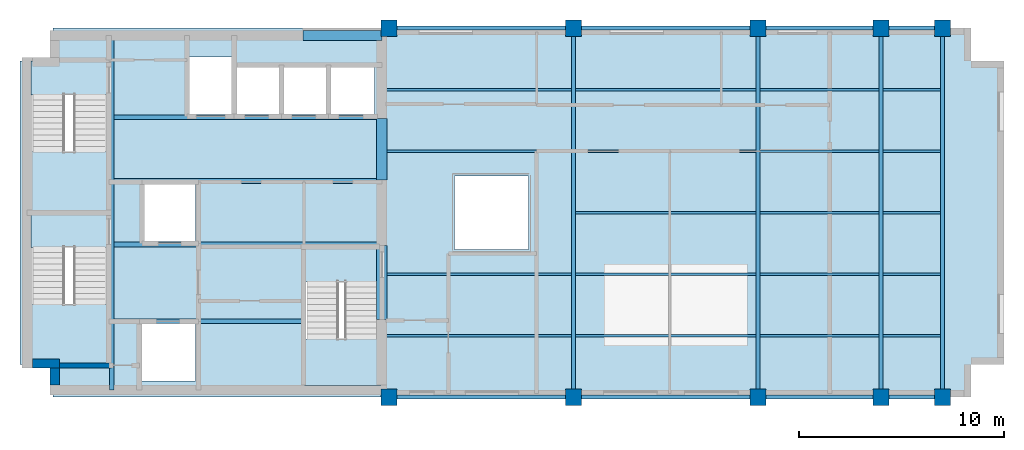
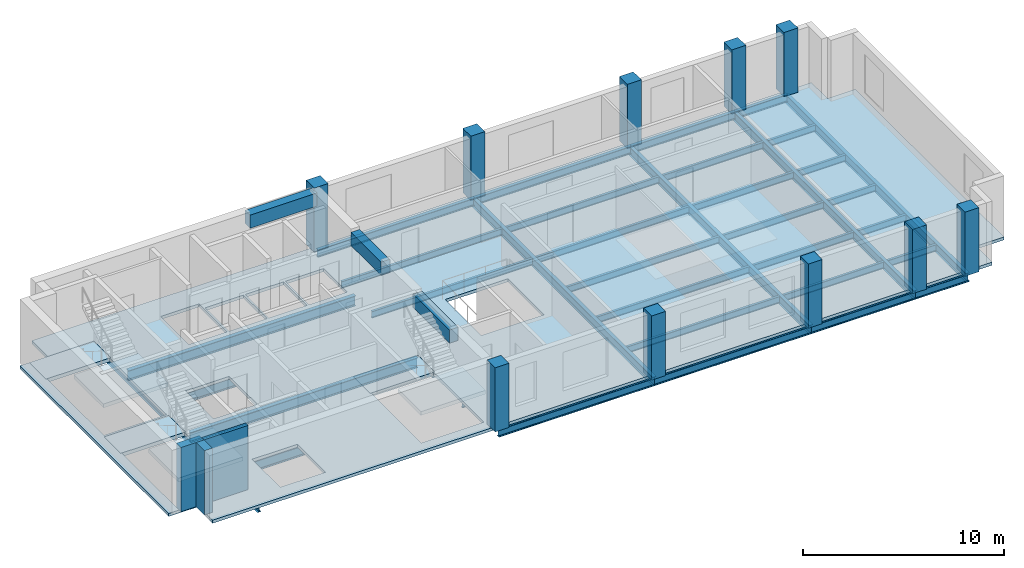
# One storey, part 1 of 5: 39 beams, 10 columns, 7 slabs, 3 walls, 3 elements without a shape of their own.
"""IFC4 building model written with IfcOpenShell, lengths in metres."""

from ifc_helpers import new_model, si_unit, direction, frame, frame_2d, origin, origin_2d, place, context, subcontext, project, spatial, polyline, rectangle, i_section, outline, extrude, material, layer, layer_set, material_profile, profile_set, type_object, element, aggregate, save


model = new_model("IFC4")

# Units and contexts
model_context = context("Model", 3, precision=1e-05, world=origin(), true_north=direction((0.0, 1.0)))
body_context = subcontext(model_context, "Body", "Model", "MODEL_VIEW")
ifc_project = project(units=[si_unit("LENGTHUNIT", "METRE"), si_unit("AREAUNIT", "SQUARE_METRE"), si_unit("VOLUMEUNIT", "CUBIC_METRE"), si_unit("PLANEANGLEUNIT", "RADIAN"), si_unit("MASSUNIT", "GRAM", prefix="KILO")], contexts=[model_context])

# Site, building, storey
site_placement = place(None, origin())
site = spatial("IfcSite", under=ifc_project, at=site_placement, CompositionType="ELEMENT")
building_placement = place(site_placement, origin())
building = spatial("IfcBuilding", under=site, at=building_placement, Name="Mawjdan Bourse Tower", CompositionType="ELEMENT")
storey_placement = place(building_placement, frame((0.0, 0.0, 278.10009765625)))
storey = spatial("IfcBuildingStorey", under=building, at=storey_placement, Name="L68", CompositionType="ELEMENT", Elevation=278.10009765625)

# Columns
ifc_material_1 = material(Name="Concrete C60/75", Category="concrete")
ifc_material_profile_1 = material_profile(ifc_material_1, rectangle(XDim=0.800048828125, YDim=0.800048828125, at=origin_2d()), Name="RC800X800")
ifc_profile_set_1 = profile_set([ifc_material_profile_1], Name="Concrete C60/75")
column_type = type_object("IfcColumnType", Name="COL-RC800X800", PredefinedType="COLUMN", material=ifc_profile_set_1)
for number, where, z_axis, x_axis, name in (
    (1, (24.0, 3.0, 0.0), (0.0, 0.0, 1.0), (1.0, 0.0, 0.0), "L68 Structural Column C-X240-Y30"),
    (2, (24.0, 21.0, 0.0), (0.0, 0.0, 1.0), (1.0, 0.0, 0.0), "L68 Structural Column C-X240-Y210"),
    (3, (33.0, 3.0, 0.0), (0.0, 0.0, 1.0), (1.0, 0.0, 0.0), "L68 Structural Column C-X330-Y30"),
    (4, (33.0, 21.0, 0.0), (0.0, 0.0, 1.0), (1.0, 0.0, 0.0), "L68 Structural Column C-X330-Y210"),
    (5, (42.0, 3.0, 0.0), (0.0, 0.0, 1.0), (1.0, 0.0, 0.0), "L68 Structural Column C-X420-Y30"),
    (6, (42.0, 21.0, 0.0), (0.0, 0.0, 1.0), (1.0, 0.0, 0.0), "L68 Structural Column C-X420-Y210"),
    (7, (48.0, 3.0, 0.0), (0.0, 0.0, 1.0), (1.0, 0.0, 0.0), "L68 Structural Column C-X480-Y30"),
    (8, (48.0, 21.0, 0.0), (0.0, 0.0, 1.0), (1.0, 0.0, 0.0), "L68 Structural Column C-X480-Y210"),
    (9, (51.0, 3.0, 0.0), (0.0, 0.0, 1.0), (1.0, 0.0, 0.0), "L68 Structural Column C-X510-Y30"),
    (10, (51.0, 21.0, 0.0), (0.0, 0.0, 1.0), (1.0, 0.0, 0.0), "L68 Structural Column C-X510-Y210"),
):
    element("IfcColumn", number, at=place(storey_placement, frame(where, z_axis=z_axis, x_axis=x_axis)), inside=storey, type_object=column_type, Name=name, PredefinedType="COLUMN", context=body_context, shape_type="SweptSolid", body=[
        extrude(rectangle(XDim=0.800048828125, YDim=0.800048828125, at=origin_2d()), origin(), (0.0, 0.0, 1.0), 3.89990234375),
    ])

# Beams
ifc_material_2 = material(Name="Structural Steel S355", Category="steel")
ifc_material_profile_2 = material_profile(ifc_material_2, i_section(OverallWidth=0.2119140625, OverallDepth=0.5439453125, WebThickness=0.01318359375, FlangeThickness=0.021240234375, FilletRadius=0.01708984375, at=origin_2d()), Name="W21X83")
ifc_profile_set_2 = profile_set([ifc_material_profile_2], Name="Structural Steel S355")
beam_type_1 = type_object("IfcBeamType", Name="GRD-W21X83", PredefinedType="BEAM", material=ifc_profile_set_2)
beam_1_placement = place(storey_placement, frame((10.47998046875, 3.35009765625, -0.45703125), z_axis=(0.0, 1.0, 0.0), x_axis=(-1.0, 0.0, 0.0)))
element("IfcBeam", 11, at=beam_1_placement, inside=storey, type_object=beam_type_1, Name="L68 Core Stair Trimmer Girder 001", PredefinedType="BEAM", context=body_context, shape_type="SweptSolid", body=[
    extrude(i_section(OverallWidth=0.2119140625, OverallDepth=0.5439453125, WebThickness=0.01318359375, FlangeThickness=0.021240234375, FilletRadius=0.01708984375, at=origin_2d()), origin(), (0.0, 0.0, 1.0), 17.2998046875),
])
for number, where, z_axis, x_axis, name in (
    (12, (33.0, 3.0, -0.45703125), (0.0, 1.0, 0.0), (-1.0, 0.0, 0.0), "L68 East Wing Clear-Span Girder 002"),
    (13, (42.0, 3.0, -0.45703125), (0.0, 1.0, 0.0), (-1.0, 0.0, 0.0), "L68 East Wing Clear-Span Girder 003"),
    (14, (48.0, 3.0, -0.45703125), (0.0, 1.0, 0.0), (-1.0, 0.0, 0.0), "L68 East Wing Clear-Span Girder 004"),
    (15, (51.0, 3.0, -0.45703125), (0.0, 1.0, 0.0), (-1.0, 0.0, 0.0), "L68 East Wing Clear-Span Girder 005"),
):
    element("IfcBeam", number, at=place(storey_placement, frame(where, z_axis=z_axis, x_axis=x_axis)), inside=storey, type_object=beam_type_1, Name=name, PredefinedType="BEAM", context=body_context, shape_type="SweptSolid", body=[
        extrude(i_section(OverallWidth=0.2119140625, OverallDepth=0.5439453125, WebThickness=0.01318359375, FlangeThickness=0.021240234375, FilletRadius=0.01708984375, at=origin_2d()), origin(), (0.0, 0.0, 1.0), 18.0),
    ])
ifc_material_profile_3 = material_profile(ifc_material_2, i_section(OverallWidth=0.139892578125, OverallDepth=0.404052734375, WebThickness=0.007080078125, FlangeThickness=0.01123046875, FilletRadius=0.009033203125, at=origin_2d()), Name="W16X31")
ifc_profile_set_3 = profile_set([ifc_material_profile_3], Name="Structural Steel S355")
beam_type_2 = type_object("IfcBeamType", Name="JST-W16X31", PredefinedType="JOIST", material=ifc_profile_set_3)
beam_2_placement = place(storey_placement, frame((23.64990234375, 6.0, -0.38720703125), z_axis=(1.0, 0.0, 0.0), x_axis=(0.0, 1.0, 0.0)))
element("IfcBeam", 16, at=beam_2_placement, inside=storey, type_object=beam_type_2, Name="L68 East Wing Composite Joist 014", PredefinedType="JOIST", context=body_context, shape_type="SweptSolid", body=[
    extrude(i_section(OverallWidth=0.139892578125, OverallDepth=0.404052734375, WebThickness=0.007080078125, FlangeThickness=0.01123046875, FilletRadius=0.009033203125, at=origin_2d()), origin(), (0.0, 0.0, 1.0), 9.24609375),
])
beam_3_placement = place(storey_placement, frame((33.10400390625, 6.0, -0.38720703125), z_axis=(1.0, 0.0, 0.0), x_axis=(0.0, 1.0, 0.0)))
element("IfcBeam", 17, at=beam_3_placement, inside=storey, type_object=beam_type_2, Name="L68 East Wing Composite Joist 015", PredefinedType="JOIST", context=body_context, shape_type="SweptSolid", body=[
    extrude(i_section(OverallWidth=0.139892578125, OverallDepth=0.404052734375, WebThickness=0.007080078125, FlangeThickness=0.01123046875, FilletRadius=0.009033203125, at=origin_2d()), origin(), (0.0, 0.0, 1.0), 8.7919921875),
])
beam_4_placement = place(storey_placement, frame((42.10400390625, 6.0, -0.38720703125), z_axis=(1.0, 0.0, 0.0), x_axis=(0.0, 1.0, 0.0)))
element("IfcBeam", 18, at=beam_4_placement, inside=storey, type_object=beam_type_2, Name="L68 East Wing Composite Joist 016", PredefinedType="JOIST", context=body_context, shape_type="SweptSolid", body=[
    extrude(i_section(OverallWidth=0.139892578125, OverallDepth=0.404052734375, WebThickness=0.007080078125, FlangeThickness=0.01123046875, FilletRadius=0.009033203125, at=origin_2d()), origin(), (0.0, 0.0, 1.0), 5.7919921875),
])
beam_5_placement = place(storey_placement, frame((48.10400390625, 6.0, -0.38720703125), z_axis=(1.0, 0.0, 0.0), x_axis=(0.0, 1.0, 0.0)))
element("IfcBeam", 19, at=beam_5_placement, inside=storey, type_object=beam_type_2, Name="L68 East Wing Composite Joist 017", PredefinedType="JOIST", context=body_context, shape_type="SweptSolid", body=[
    extrude(i_section(OverallWidth=0.139892578125, OverallDepth=0.404052734375, WebThickness=0.007080078125, FlangeThickness=0.01123046875, FilletRadius=0.009033203125, at=origin_2d()), origin(), (0.0, 0.0, 1.0), 2.7919921875),
])
beam_6_placement = place(storey_placement, frame((23.64990234375, 9.0, -0.38720703125), z_axis=(1.0, 0.0, 0.0), x_axis=(0.0, 1.0, 0.0)))
element("IfcBeam", 20, at=beam_6_placement, inside=storey, type_object=beam_type_2, Name="L68 East Wing Composite Joist 018", PredefinedType="JOIST", context=body_context, shape_type="SweptSolid", body=[
    extrude(i_section(OverallWidth=0.139892578125, OverallDepth=0.404052734375, WebThickness=0.007080078125, FlangeThickness=0.01123046875, FilletRadius=0.009033203125, at=origin_2d()), origin(), (0.0, 0.0, 1.0), 9.24609375),
])
beam_7_placement = place(storey_placement, frame((33.10400390625, 9.0, -0.38720703125), z_axis=(1.0, 0.0, 0.0), x_axis=(0.0, 1.0, 0.0)))
element("IfcBeam", 21, at=beam_7_placement, inside=storey, type_object=beam_type_2, Name="L68 East Wing Composite Joist 019", PredefinedType="JOIST", context=body_context, shape_type="SweptSolid", body=[
    extrude(i_section(OverallWidth=0.139892578125, OverallDepth=0.404052734375, WebThickness=0.007080078125, FlangeThickness=0.01123046875, FilletRadius=0.009033203125, at=origin_2d()), origin(), (0.0, 0.0, 1.0), 8.7919921875),
])
beam_8_placement = place(storey_placement, frame((42.10400390625, 9.0, -0.38720703125), z_axis=(1.0, 0.0, 0.0), x_axis=(0.0, 1.0, 0.0)))
element("IfcBeam", 22, at=beam_8_placement, inside=storey, type_object=beam_type_2, Name="L68 East Wing Composite Joist 020", PredefinedType="JOIST", context=body_context, shape_type="SweptSolid", body=[
    extrude(i_section(OverallWidth=0.139892578125, OverallDepth=0.404052734375, WebThickness=0.007080078125, FlangeThickness=0.01123046875, FilletRadius=0.009033203125, at=origin_2d()), origin(), (0.0, 0.0, 1.0), 5.7919921875),
])
beam_9_placement = place(storey_placement, frame((48.10400390625, 9.0, -0.38720703125), z_axis=(1.0, 0.0, 0.0), x_axis=(0.0, 1.0, 0.0)))
element("IfcBeam", 23, at=beam_9_placement, inside=storey, type_object=beam_type_2, Name="L68 East Wing Composite Joist 021", PredefinedType="JOIST", context=body_context, shape_type="SweptSolid", body=[
    extrude(i_section(OverallWidth=0.139892578125, OverallDepth=0.404052734375, WebThickness=0.007080078125, FlangeThickness=0.01123046875, FilletRadius=0.009033203125, at=origin_2d()), origin(), (0.0, 0.0, 1.0), 2.7919921875),
])
beam_10_placement = place(storey_placement, frame((33.10400390625, 12.0, -0.38720703125), z_axis=(1.0, 0.0, 0.0), x_axis=(0.0, 1.0, 0.0)))
element("IfcBeam", 24, at=beam_10_placement, inside=storey, type_object=beam_type_2, Name="L68 East Wing Composite Joist 022", PredefinedType="JOIST", context=body_context, shape_type="SweptSolid", body=[
    extrude(i_section(OverallWidth=0.139892578125, OverallDepth=0.404052734375, WebThickness=0.007080078125, FlangeThickness=0.01123046875, FilletRadius=0.009033203125, at=origin_2d()), origin(), (0.0, 0.0, 1.0), 8.7919921875),
])
beam_11_placement = place(storey_placement, frame((42.10400390625, 12.0, -0.38720703125), z_axis=(1.0, 0.0, 0.0), x_axis=(0.0, 1.0, 0.0)))
element("IfcBeam", 25, at=beam_11_placement, inside=storey, type_object=beam_type_2, Name="L68 East Wing Composite Joist 023", PredefinedType="JOIST", context=body_context, shape_type="SweptSolid", body=[
    extrude(i_section(OverallWidth=0.139892578125, OverallDepth=0.404052734375, WebThickness=0.007080078125, FlangeThickness=0.01123046875, FilletRadius=0.009033203125, at=origin_2d()), origin(), (0.0, 0.0, 1.0), 5.7919921875),
])
beam_12_placement = place(storey_placement, frame((48.10400390625, 12.0, -0.38720703125), z_axis=(1.0, 0.0, 0.0), x_axis=(0.0, 1.0, 0.0)))
element("IfcBeam", 26, at=beam_12_placement, inside=storey, type_object=beam_type_2, Name="L68 East Wing Composite Joist 024", PredefinedType="JOIST", context=body_context, shape_type="SweptSolid", body=[
    extrude(i_section(OverallWidth=0.139892578125, OverallDepth=0.404052734375, WebThickness=0.007080078125, FlangeThickness=0.01123046875, FilletRadius=0.009033203125, at=origin_2d()), origin(), (0.0, 0.0, 1.0), 2.7919921875),
])
beam_13_placement = place(storey_placement, frame((23.64990234375, 15.0, -0.38720703125), z_axis=(1.0, 0.0, 0.0), x_axis=(0.0, 1.0, 0.0)))
element("IfcBeam", 27, at=beam_13_placement, inside=storey, type_object=beam_type_2, Name="L68 East Wing Composite Joist 025", PredefinedType="JOIST", context=body_context, shape_type="SweptSolid", body=[
    extrude(i_section(OverallWidth=0.139892578125, OverallDepth=0.404052734375, WebThickness=0.007080078125, FlangeThickness=0.01123046875, FilletRadius=0.009033203125, at=origin_2d()), origin(), (0.0, 0.0, 1.0), 9.24609375),
])
beam_14_placement = place(storey_placement, frame((33.10400390625, 15.0, -0.38720703125), z_axis=(1.0, 0.0, 0.0), x_axis=(0.0, 1.0, 0.0)))
element("IfcBeam", 28, at=beam_14_placement, inside=storey, type_object=beam_type_2, Name="L68 East Wing Composite Joist 026", PredefinedType="JOIST", context=body_context, shape_type="SweptSolid", body=[
    extrude(i_section(OverallWidth=0.139892578125, OverallDepth=0.404052734375, WebThickness=0.007080078125, FlangeThickness=0.01123046875, FilletRadius=0.009033203125, at=origin_2d()), origin(), (0.0, 0.0, 1.0), 8.7919921875),
])
beam_15_placement = place(storey_placement, frame((42.10400390625, 15.0, -0.38720703125), z_axis=(1.0, 0.0, 0.0), x_axis=(0.0, 1.0, 0.0)))
element("IfcBeam", 29, at=beam_15_placement, inside=storey, type_object=beam_type_2, Name="L68 East Wing Composite Joist 027", PredefinedType="JOIST", context=body_context, shape_type="SweptSolid", body=[
    extrude(i_section(OverallWidth=0.139892578125, OverallDepth=0.404052734375, WebThickness=0.007080078125, FlangeThickness=0.01123046875, FilletRadius=0.009033203125, at=origin_2d()), origin(), (0.0, 0.0, 1.0), 5.7919921875),
])
beam_16_placement = place(storey_placement, frame((48.10400390625, 15.0, -0.38720703125), z_axis=(1.0, 0.0, 0.0), x_axis=(0.0, 1.0, 0.0)))
element("IfcBeam", 30, at=beam_16_placement, inside=storey, type_object=beam_type_2, Name="L68 East Wing Composite Joist 028", PredefinedType="JOIST", context=body_context, shape_type="SweptSolid", body=[
    extrude(i_section(OverallWidth=0.139892578125, OverallDepth=0.404052734375, WebThickness=0.007080078125, FlangeThickness=0.01123046875, FilletRadius=0.009033203125, at=origin_2d()), origin(), (0.0, 0.0, 1.0), 2.7919921875),
])
beam_17_placement = place(storey_placement, frame((23.64990234375, 18.0, -0.38720703125), z_axis=(1.0, 0.0, 0.0), x_axis=(0.0, 1.0, 0.0)))
element("IfcBeam", 31, at=beam_17_placement, inside=storey, type_object=beam_type_2, Name="L68 East Wing Composite Joist 029", PredefinedType="JOIST", context=body_context, shape_type="SweptSolid", body=[
    extrude(i_section(OverallWidth=0.139892578125, OverallDepth=0.404052734375, WebThickness=0.007080078125, FlangeThickness=0.01123046875, FilletRadius=0.009033203125, at=origin_2d()), origin(), (0.0, 0.0, 1.0), 9.24609375),
])
beam_18_placement = place(storey_placement, frame((33.10400390625, 18.0, -0.38720703125), z_axis=(1.0, 0.0, 0.0), x_axis=(0.0, 1.0, 0.0)))
element("IfcBeam", 32, at=beam_18_placement, inside=storey, type_object=beam_type_2, Name="L68 East Wing Composite Joist 030", PredefinedType="JOIST", context=body_context, shape_type="SweptSolid", body=[
    extrude(i_section(OverallWidth=0.139892578125, OverallDepth=0.404052734375, WebThickness=0.007080078125, FlangeThickness=0.01123046875, FilletRadius=0.009033203125, at=origin_2d()), origin(), (0.0, 0.0, 1.0), 8.7919921875),
])
beam_19_placement = place(storey_placement, frame((42.10400390625, 18.0, -0.38720703125), z_axis=(1.0, 0.0, 0.0), x_axis=(0.0, 1.0, 0.0)))
element("IfcBeam", 33, at=beam_19_placement, inside=storey, type_object=beam_type_2, Name="L68 East Wing Composite Joist 031", PredefinedType="JOIST", context=body_context, shape_type="SweptSolid", body=[
    extrude(i_section(OverallWidth=0.139892578125, OverallDepth=0.404052734375, WebThickness=0.007080078125, FlangeThickness=0.01123046875, FilletRadius=0.009033203125, at=origin_2d()), origin(), (0.0, 0.0, 1.0), 5.7919921875),
])
beam_20_placement = place(storey_placement, frame((48.10400390625, 18.0, -0.38720703125), z_axis=(1.0, 0.0, 0.0), x_axis=(0.0, 1.0, 0.0)))
element("IfcBeam", 34, at=beam_20_placement, inside=storey, type_object=beam_type_2, Name="L68 East Wing Composite Joist 032", PredefinedType="JOIST", context=body_context, shape_type="SweptSolid", body=[
    extrude(i_section(OverallWidth=0.139892578125, OverallDepth=0.404052734375, WebThickness=0.007080078125, FlangeThickness=0.01123046875, FilletRadius=0.009033203125, at=origin_2d()), origin(), (0.0, 0.0, 1.0), 2.7919921875),
])
ifc_material_profile_4 = material_profile(ifc_material_2, i_section(OverallWidth=0.22998046875, OverallDepth=0.616943359375, WebThickness=0.01318359375, FlangeThickness=0.022216796875, FilletRadius=0.017822265625, at=origin_2d()), Name="W24X94")
ifc_profile_set_4 = profile_set([ifc_material_profile_4], Name="Structural Steel S355")
beam_type_3 = type_object("IfcBeamType", Name="JST-W24X94", PredefinedType="JOIST", material=ifc_profile_set_4)
beam_21_placement = place(storey_placement, frame((10.583984375, 6.699951171875, -0.49365234375), z_axis=(1.0, 0.0, 0.0), x_axis=(0.0, 1.0, 0.0)))
element("IfcBeam", 35, at=beam_21_placement, inside=storey, type_object=beam_type_3, Name="L68 Core Floor Joist 033", PredefinedType="JOIST", context=body_context, shape_type="SweptSolid", body=[
    extrude(i_section(OverallWidth=0.22998046875, OverallDepth=0.616943359375, WebThickness=0.01318359375, FlangeThickness=0.022216796875, FilletRadius=0.017822265625, at=origin_2d()), origin(), (0.0, 0.0, 1.0), 9.24609375),
])
for number, where, z_axis, x_axis, name in (
    (36, (10.583984375, 10.449951171875, -0.49365234375), (1.0, 0.0, 0.0), (0.0, 1.0, 0.0), "L68 Core Floor Joist 034"),
    (37, (10.583984375, 13.550048828125, -0.49365234375), (1.0, 0.0, 0.0), (0.0, 1.0, 0.0), "L68 Core Floor Joist 035"),
    (38, (10.583984375, 16.64990234375, -0.49365234375), (1.0, 0.0, 0.0), (0.0, 1.0, 0.0), "L68 Core Floor Joist 036"),
):
    element("IfcBeam", number, at=place(storey_placement, frame(where, z_axis=z_axis, x_axis=x_axis)), inside=storey, type_object=beam_type_3, Name=name, PredefinedType="JOIST", context=body_context, shape_type="SweptSolid", body=[
        extrude(i_section(OverallWidth=0.22998046875, OverallDepth=0.616943359375, WebThickness=0.01318359375, FlangeThickness=0.022216796875, FilletRadius=0.017822265625, at=origin_2d()), origin(), (0.0, 0.0, 1.0), 13.06591796875),
    ])
ifc_material_3 = material(Name="Concrete C70/85", Category="concrete")
ifc_material_profile_5 = material_profile(ifc_material_3, rectangle(XDim=0.5, YDim=0.800048828125, at=origin_2d()), Name="RCB500X800")
ifc_profile_set_5 = profile_set([ifc_material_profile_5], Name="Concrete C70/85")
beam_type_4 = type_object("IfcBeamType", Name="LNT-RCB500X800", PredefinedType="LINTEL", material=ifc_profile_set_5)
beam_22_placement = place(storey_placement, frame((23.64990234375, 6.800048828125, 3.31494140625), z_axis=(0.0, 1.0, 0.0), x_axis=(-1.0, 0.0, 0.0)))
element("IfcBeam", 39, at=beam_22_placement, inside=storey, type_object=beam_type_4, Name="L68 Coupled Core Lintel CB-E1", PredefinedType="LINTEL", context=body_context, shape_type="SweptSolid", body=[
    extrude(rectangle(XDim=0.5, YDim=0.800048828125, at=origin_2d()), origin(), (0.0, 0.0, 1.0), 3.599853515625),
])
beam_23_placement = place(storey_placement, frame((23.64990234375, 13.60009765625, 3.31494140625), z_axis=(0.0, 1.0, 0.0), x_axis=(-1.0, 0.0, 0.0)))
element("IfcBeam", 40, at=beam_23_placement, inside=storey, type_object=beam_type_4, Name="L68 Coupled Core Lintel CB-E2", PredefinedType="LINTEL", context=body_context, shape_type="SweptSolid", body=[
    extrude(rectangle(XDim=0.5, YDim=0.800048828125, at=origin_2d()), origin(), (0.0, 0.0, 1.0), 3.0),
])
beam_24_placement = place(storey_placement, frame((19.800048828125, 20.64990234375, 3.31494140625), z_axis=(1.0, 0.0, 0.0), x_axis=(0.0, 1.0, 0.0)))
element("IfcBeam", 41, at=beam_24_placement, inside=storey, type_object=beam_type_4, Name="L68 Coupled Core Lintel CB-N1", PredefinedType="LINTEL", context=body_context, shape_type="SweptSolid", body=[
    extrude(rectangle(XDim=0.5, YDim=0.800048828125, at=origin_2d()), origin(), (0.0, 0.0, 1.0), 3.849853515625),
])
ifc_material_profile_6 = material_profile(ifc_material_2, i_section(OverallWidth=0.19189453125, OverallDepth=0.462890625, WebThickness=0.010498046875, FlangeThickness=0.017578125, FilletRadius=0.01416015625, at=origin_2d()), Name="W18X60")
ifc_profile_set_6 = profile_set([ifc_material_profile_6], Name="Structural Steel S355")
beam_type_5 = type_object("IfcBeamType", Name="SPN-W18X60", PredefinedType="SPANDREL", material=ifc_profile_set_6)
for number, where, z_axis, x_axis, name in (
    (42, (24.0, 3.0, -0.41650390625), (1.0, 0.0, 0.0), (0.0, 1.0, 0.0), "L68 Perimeter Masonry-Shelf Spandrel 006"),
    (43, (33.0, 3.0, -0.41650390625), (1.0, 0.0, 0.0), (0.0, 1.0, 0.0), "L68 Perimeter Masonry-Shelf Spandrel 007"),
):
    element("IfcBeam", number, at=place(storey_placement, frame(where, z_axis=z_axis, x_axis=x_axis)), inside=storey, type_object=beam_type_5, Name=name, PredefinedType="SPANDREL", context=body_context, shape_type="SweptSolid", body=[
        extrude(i_section(OverallWidth=0.19189453125, OverallDepth=0.462890625, WebThickness=0.010498046875, FlangeThickness=0.017578125, FilletRadius=0.01416015625, at=origin_2d()), origin(), (0.0, 0.0, 1.0), 9.0),
    ])
beam_25_placement = place(storey_placement, frame((42.0, 3.0, -0.41650390625), z_axis=(1.0, 0.0, 0.0), x_axis=(0.0, 1.0, 0.0)))
element("IfcBeam", 44, at=beam_25_placement, inside=storey, type_object=beam_type_5, Name="L68 Perimeter Masonry-Shelf Spandrel 008", PredefinedType="SPANDREL", context=body_context, shape_type="SweptSolid", body=[
    extrude(i_section(OverallWidth=0.19189453125, OverallDepth=0.462890625, WebThickness=0.010498046875, FlangeThickness=0.017578125, FilletRadius=0.01416015625, at=origin_2d()), origin(), (0.0, 0.0, 1.0), 6.0),
])
beam_26_placement = place(storey_placement, frame((48.0, 3.0, -0.41650390625), z_axis=(1.0, 0.0, 0.0), x_axis=(0.0, 1.0, 0.0)))
element("IfcBeam", 45, at=beam_26_placement, inside=storey, type_object=beam_type_5, Name="L68 Perimeter Masonry-Shelf Spandrel 009", PredefinedType="SPANDREL", context=body_context, shape_type="SweptSolid", body=[
    extrude(i_section(OverallWidth=0.19189453125, OverallDepth=0.462890625, WebThickness=0.010498046875, FlangeThickness=0.017578125, FilletRadius=0.01416015625, at=origin_2d()), origin(), (0.0, 0.0, 1.0), 3.0),
])
for number, where, z_axis, x_axis, name in (
    (46, (24.0, 21.0, -0.41650390625), (1.0, 0.0, 0.0), (0.0, 1.0, 0.0), "L68 Perimeter Masonry-Shelf Spandrel 010"),
    (47, (33.0, 21.0, -0.41650390625), (1.0, 0.0, 0.0), (0.0, 1.0, 0.0), "L68 Perimeter Masonry-Shelf Spandrel 011"),
):
    element("IfcBeam", number, at=place(storey_placement, frame(where, z_axis=z_axis, x_axis=x_axis)), inside=storey, type_object=beam_type_5, Name=name, PredefinedType="SPANDREL", context=body_context, shape_type="SweptSolid", body=[
        extrude(i_section(OverallWidth=0.19189453125, OverallDepth=0.462890625, WebThickness=0.010498046875, FlangeThickness=0.017578125, FilletRadius=0.01416015625, at=origin_2d()), origin(), (0.0, 0.0, 1.0), 9.0),
    ])
beam_27_placement = place(storey_placement, frame((42.0, 21.0, -0.41650390625), z_axis=(1.0, 0.0, 0.0), x_axis=(0.0, 1.0, 0.0)))
element("IfcBeam", 48, at=beam_27_placement, inside=storey, type_object=beam_type_5, Name="L68 Perimeter Masonry-Shelf Spandrel 012", PredefinedType="SPANDREL", context=body_context, shape_type="SweptSolid", body=[
    extrude(i_section(OverallWidth=0.19189453125, OverallDepth=0.462890625, WebThickness=0.010498046875, FlangeThickness=0.017578125, FilletRadius=0.01416015625, at=origin_2d()), origin(), (0.0, 0.0, 1.0), 6.0),
])
beam_28_placement = place(storey_placement, frame((48.0, 21.0, -0.41650390625), z_axis=(1.0, 0.0, 0.0), x_axis=(0.0, 1.0, 0.0)))
element("IfcBeam", 49, at=beam_28_placement, inside=storey, type_object=beam_type_5, Name="L68 Perimeter Masonry-Shelf Spandrel 013", PredefinedType="SPANDREL", context=body_context, shape_type="SweptSolid", body=[
    extrude(i_section(OverallWidth=0.19189453125, OverallDepth=0.462890625, WebThickness=0.010498046875, FlangeThickness=0.017578125, FilletRadius=0.01416015625, at=origin_2d()), origin(), (0.0, 0.0, 1.0), 3.0),
])

# Stair, slabs
ifc_material_4 = material(Name="Concrete C50/60", Category="concrete")
stair_type = type_object("IfcStairType", Name="STR-CORE-1500", PredefinedType="HALF_TURN_STAIR", material=ifc_material_4)
stair_1_placement = place(storey_placement, origin())
stair_1 = element("IfcStair", 50, at=stair_1_placement, inside=storey, type_object=stair_type, Name="L68 Exit Stair 1 (Core South-West)", PredefinedType="HALF_TURN_STAIR")
ifc_layer_1 = layer(ifc_material_4, 0.22998046875)
ifc_layer_set_1 = layer_set([ifc_layer_1], Name="Concrete C50/60")
slab_type_1 = type_object("IfcSlabType", Name="SL-LND-230", PredefinedType="LANDING", material=ifc_layer_set_1)
slab_1_placement = place(storey_placement, frame((0.0, 0.0, -0.22998046875)))
slab_1 = element("IfcSlab", 51, at=slab_1_placement, type_object=slab_type_1, Name="ST1-L68 landing 1", PredefinedType="LANDING", context=body_context, shape_type="SweptSolid", body=[
    extrude(outline(polyline([(6.5400390625, 10.31005859375), (10.260009765625, 10.31005859375), (10.260009765625, 11.969970703125), (6.5400390625, 11.969970703125), (6.5400390625, 10.31005859375)])), origin(), (0.0, 0.0, 1.0), 0.22998046875),
])
slab_2_placement = place(storey_placement, frame((0.0, 0.0, 1.719970703125)))
slab_2 = element("IfcSlab", 52, at=slab_2_placement, type_object=slab_type_1, Name="ST1-L68 landing 2", PredefinedType="LANDING", context=body_context, shape_type="SweptSolid", body=[
    extrude(outline(polyline([(6.5400390625, 4.590087890625), (10.260009765625, 4.590087890625), (10.260009765625, 7.5400390625), (6.5400390625, 7.5400390625), (6.5400390625, 4.590087890625)])), origin(), (0.0, 0.0, 1.0), 0.22998046875),
])
aggregate(stair_1, [slab_1, slab_2])

stair_2_placement = place(storey_placement, origin())
stair_2 = element("IfcStair", 53, at=stair_2_placement, inside=storey, type_object=stair_type, Name="L68 Exit Stair 2 (Core North-West)", PredefinedType="HALF_TURN_STAIR")
slab_3_placement = place(storey_placement, frame((0.0, 0.0, -0.22998046875)))
slab_3 = element("IfcSlab", 54, at=slab_3_placement, type_object=slab_type_1, Name="ST2-L68 landing 1", PredefinedType="LANDING", context=body_context, shape_type="SweptSolid", body=[
    extrude(outline(polyline([(6.5400390625, 17.75), (10.260009765625, 17.75), (10.260009765625, 19.409912109375), (6.5400390625, 19.409912109375), (6.5400390625, 17.75)])), origin(), (0.0, 0.0, 1.0), 0.22998046875),
])
slab_4_placement = place(storey_placement, frame((0.0, 0.0, 1.719970703125)))
slab_4 = element("IfcSlab", 55, at=slab_4_placement, type_object=slab_type_1, Name="ST2-L68 landing 2", PredefinedType="LANDING", context=body_context, shape_type="SweptSolid", body=[
    extrude(outline(polyline([(6.5400390625, 12.030029296875), (10.260009765625, 12.030029296875), (10.260009765625, 14.97998046875), (6.5400390625, 14.97998046875), (6.5400390625, 12.030029296875)])), origin(), (0.0, 0.0, 1.0), 0.22998046875),
])
aggregate(stair_2, [slab_3, slab_4])

stair_3_placement = place(storey_placement, origin())
stair_3 = element("IfcStair", 56, at=stair_3_placement, inside=storey, type_object=stair_type, Name="L68 Exit Stair 7 (Core South-East)", PredefinedType="HALF_TURN_STAIR")
slab_5_placement = place(storey_placement, frame((0.0, 0.0, -0.22998046875)))
slab_5 = element("IfcSlab", 57, at=slab_5_placement, type_object=slab_type_1, Name="ST7-L68 landing 1", PredefinedType="LANDING", context=body_context, shape_type="SweptSolid", body=[
    extrude(outline(polyline([(19.889892578125, 8.6201171875), (23.610107421875, 8.6201171875), (23.610107421875, 10.280029296875), (19.889892578125, 10.280029296875), (19.889892578125, 8.6201171875)])), origin(), (0.0, 0.0, 1.0), 0.22998046875),
])
slab_6_placement = place(storey_placement, frame((0.0, 0.0, 1.719970703125)))
slab_6 = element("IfcSlab", 58, at=slab_6_placement, type_object=slab_type_1, Name="ST7-L68 landing 2", PredefinedType="LANDING", context=body_context, shape_type="SweptSolid", body=[
    extrude(outline(polyline([(19.889892578125, 3.56005859375), (23.610107421875, 3.56005859375), (23.610107421875, 5.85009765625), (19.889892578125, 5.85009765625), (19.889892578125, 3.56005859375)])), origin(), (0.0, 0.0, 1.0), 0.22998046875),
])
aggregate(stair_3, [slab_5, slab_6])

# Slab
ifc_layer_2 = layer(ifc_material_4, 0.18505859375)
ifc_layer_set_2 = layer_set([ifc_layer_2], Name="Concrete C50/60")
slab_type_2 = type_object("IfcSlabType", Name="SL-SMT-185", PredefinedType="FLOOR", material=ifc_layer_set_2)
slab_7_placement = place(storey_placement, frame((0.0, 0.0, -0.18505859375)))
element("IfcSlab", 59, at=slab_7_placement, inside=storey, type_object=slab_type_2, Name="L68 Structural Floor Slab 1", PredefinedType="FLOOR", context=body_context, shape_type="SweptSolid", body=[
    extrude(outline(polyline([(7.60009765625, 3.0), (52.39990234375, 3.0), (52.39990234375, 4.60009765625), (54.0, 4.60009765625), (54.0, 19.39990234375), (52.39990234375, 19.39990234375), (52.39990234375, 21.0), (7.60009765625, 21.0), (7.60009765625, 19.39990234375), (6.0, 19.39990234375), (6.0, 4.60009765625), (7.60009765625, 4.60009765625), (7.60009765625, 3.0)]), holes=[polyline([(14.550048828125, 3.800048828125), (11.949951171875, 3.800048828125), (11.949951171875, 6.60009765625), (14.550048828125, 6.60009765625), (14.550048828125, 3.800048828125)]), polyline([(10.260009765625, 11.969970703125), (10.260009765625, 10.31005859375), (10.199951171875, 10.31005859375), (10.199951171875, 4.64990234375), (6.60009765625, 4.64990234375), (6.60009765625, 10.31005859375), (6.5400390625, 10.31005859375), (6.5400390625, 11.969970703125), (10.260009765625, 11.969970703125)]), polyline([(14.550048828125, 10.60009765625), (12.050048828125, 10.60009765625), (12.050048828125, 13.39990234375), (14.550048828125, 13.39990234375), (14.550048828125, 10.60009765625)]), polyline([(6.60009765625, 12.090087890625), (6.60009765625, 17.75), (6.5400390625, 17.75), (6.5400390625, 19.3798828125), (7.60009765625, 19.3798828125), (7.60205078125, 19.380126953125), (7.60400390625, 19.38037109375), (7.605712890625, 19.380859375), (7.607666015625, 19.381591796875), (7.609375, 19.38232421875), (7.611083984375, 19.38330078125), (7.61279296875, 19.384521484375), (7.614013671875, 19.385986328125), (7.615478515625, 19.38720703125), (7.61669921875, 19.388916015625), (7.61767578125, 19.390625), (7.618408203125, 19.392333984375), (7.619140625, 19.394287109375), (7.61962890625, 19.39599609375), (7.619873046875, 19.39794921875), (7.6201171875, 19.39990234375), (7.6201171875, 19.409912109375), (10.260009765625, 19.409912109375), (10.260009765625, 17.75), (10.199951171875, 17.75), (10.199951171875, 12.090087890625), (6.60009765625, 12.090087890625)]), polyline([(14.199951171875, 16.800048828125), (14.199951171875, 19.60009765625), (16.39990234375, 19.60009765625), (16.39990234375, 16.800048828125), (14.199951171875, 16.800048828125)]), polyline([(23.610107421875, 10.280029296875), (23.610107421875, 8.6201171875), (23.550048828125, 8.6201171875), (23.550048828125, 3.6201171875), (19.949951171875, 3.6201171875), (19.949951171875, 8.6201171875), (19.889892578125, 8.6201171875), (19.889892578125, 10.280029296875), (23.610107421875, 10.280029296875)]), polyline([(27.199951171875, 10.199951171875), (27.199951171875, 13.800048828125), (30.800048828125, 13.800048828125), (30.800048828125, 10.199951171875), (27.199951171875, 10.199951171875)]), polyline([(16.5, 16.800048828125), (16.5, 19.14990234375), (18.699951171875, 19.14990234375), (18.699951171875, 16.800048828125), (16.5, 16.800048828125)]), polyline([(18.800048828125, 16.800048828125), (18.800048828125, 19.14990234375), (21.0, 19.14990234375), (21.0, 16.800048828125), (18.800048828125, 16.800048828125)]), polyline([(21.10009765625, 16.800048828125), (21.10009765625, 19.14990234375), (23.300048828125, 19.14990234375), (23.300048828125, 16.800048828125), (21.10009765625, 16.800048828125)])]), origin(), (0.0, 0.0, 1.0), 0.18505859375),
])

# Walls
ifc_layer_3 = layer(ifc_material_1, 0.449951171875)
ifc_layer_set_3 = layer_set([ifc_layer_3], Name="Concrete C60/75")
wall_type_1 = type_object("IfcWallType", Name="WL-CORE-450", PredefinedType="SHEAR", material=ifc_layer_set_3)
wall_1_placement = place(storey_placement, frame((6.60009765625, 4.64990234375, 0.0), z_axis=(0.0, 0.0, 1.0), x_axis=(1.0, 0.0, 0.0)))
element("IfcWall", 60, at=wall_1_placement, inside=storey, type_object=wall_type_1, Name="L68 Rear Core Shear Wall SW-X", PredefinedType="SHEAR", context=body_context, shape_type="SweptSolid", body=[
    extrude(rectangle(XDim=1.324951171875, YDim=0.449951171875, at=frame_2d((0.66259765625, 0.0))), origin(), (0.0, 0.0, 1.0), 3.89990234375),
])
wall_2_placement = place(storey_placement, frame((7.699951171875, 3.60009765625, 0.0), z_axis=(0.0, 0.0, 1.0), x_axis=(0.0, 1.0, 0.0)))
element("IfcWall", 61, at=wall_2_placement, inside=storey, type_object=wall_type_1, Name="L68 Rear Core Shear Wall SW-Y", PredefinedType="SHEAR", context=body_context, shape_type="SweptSolid", body=[
    extrude(rectangle(XDim=0.824951171875, YDim=0.449951171875, at=frame_2d((0.41259765625, 0.0))), origin(), (0.0, 0.0, 1.0), 3.89990234375),
])
ifc_layer_4 = layer(ifc_material_4, 0.25)
ifc_layer_set_4 = layer_set([ifc_layer_4], Name="Concrete C50/60")
wall_type_2 = type_object("IfcWallType", Name="WL-STRW-250", PredefinedType="SHEAR", material=ifc_layer_set_4)
wall_3_placement = place(storey_placement, frame((7.699951171875, 4.550048828125, 0.0), z_axis=(0.0, 0.0, 1.0), x_axis=(1.0, 0.0, 0.0)))
element("IfcWall", 62, at=wall_3_placement, inside=storey, type_object=wall_type_2, Name="L68 Stairwell ST1 South Shaft Wall", PredefinedType="SHEAR", context=body_context, shape_type="SweptSolid", body=[
    extrude(rectangle(XDim=2.755126953125, YDim=0.25, at=frame_2d((1.37744140625, 0.0))), origin(), (0.0, 0.0, 1.0), 3.89990234375),
])

save(model, "model.ifc")
